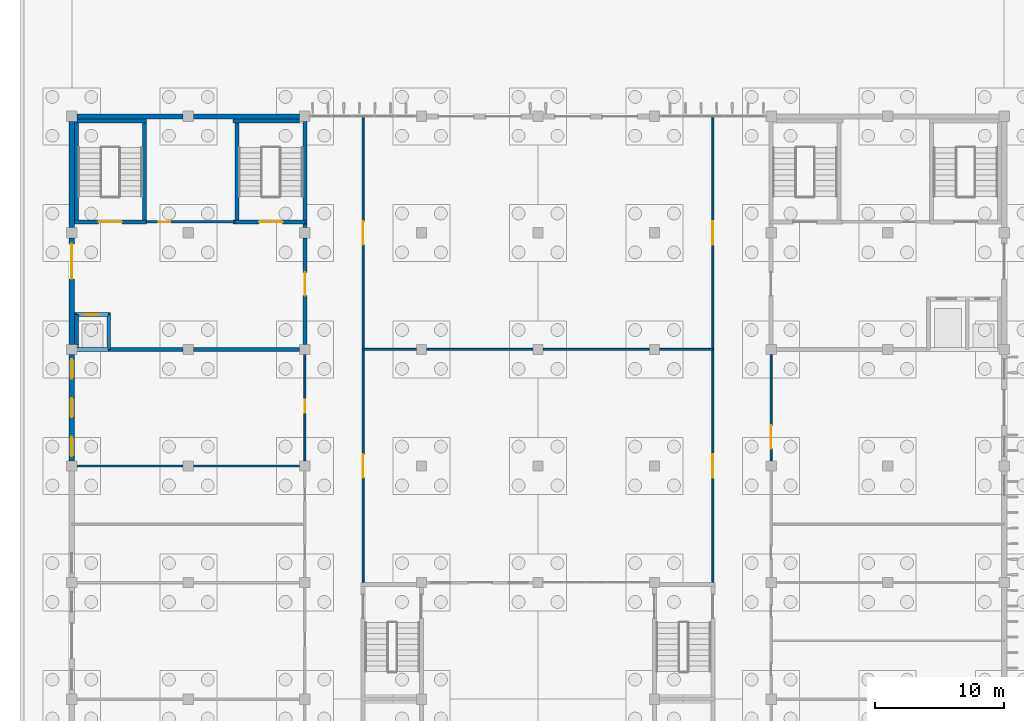
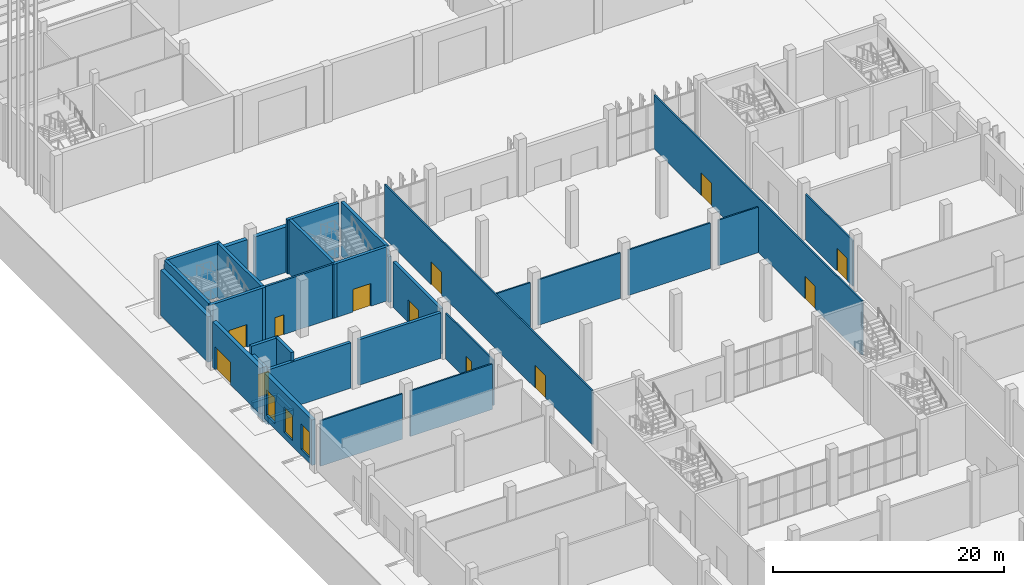
# One storey, part 82 of 198: 35 walls, 12 doors, 3 windows, 15 openings.
"""IFC4 building model written with IfcOpenShell, lengths in metres."""

from ifc_helpers import new_model, si_unit, direction, frame, frame_2d, origin, place, context, subcontext, project, spatial, rectangle, extrude, material, layer, layer_set, type_object, element, fill, save


model = new_model("IFC4")

# Units and contexts
model_context = context("Model", 3, precision=1e-05, world=origin(), true_north=direction((0.0, 1.0)))
body_context = subcontext(model_context, "Body", "Model", "MODEL_VIEW")
ifc_project = project(units=[si_unit("LENGTHUNIT", "METRE"), si_unit("AREAUNIT", "SQUARE_METRE"), si_unit("VOLUMEUNIT", "CUBIC_METRE"), si_unit("PLANEANGLEUNIT", "RADIAN"), si_unit("MASSUNIT", "GRAM", prefix="KILO")], contexts=[model_context])

# Site, building, storey
site_placement = place(None, origin())
site = spatial("IfcSite", under=ifc_project, at=site_placement, CompositionType="ELEMENT")
building_placement = place(site_placement, origin())
building = spatial("IfcBuilding", under=site, at=building_placement, Name="Opaline Strait Convention Centre", CompositionType="ELEMENT")
storey_placement = place(building_placement, origin())
storey = spatial("IfcBuildingStorey", under=building, at=storey_placement, Name="L00", CompositionType="ELEMENT", Elevation=0.0)

# Wall, opening, door
ifc_material_1 = material(Name="Gypsum board on metal studs with mineral wool")
ifc_layer_1 = layer(ifc_material_1, 0.199951171875)
ifc_layer_set_1 = layer_set([ifc_layer_1], Name="Gypsum board on metal studs with mineral wool")
wall_type_1 = type_object("IfcWallType", Name="Fire partition 200", PredefinedType="PARTITIONING", material=ifc_layer_set_1)
wall_1_placement = place(storey_placement, frame((14.75, 90.85009765625, 0.0), z_axis=(0.0, 0.0, 1.0), x_axis=(1.0, 0.0, 0.0)))
wall_1 = element("IfcWall", 1, at=wall_1_placement, inside=storey, type_object=wall_type_1, Name="NW core STORE-N wall", PredefinedType="PARTITIONING", context=body_context, shape_type="SweptSolid", body=[
    extrude(rectangle(XDim=6.85009765625, YDim=0.199951171875, at=frame_2d((3.425048828125, 0.0))), origin(), (0.0, 0.0, 1.0), 5.719970703125),
])
opening_1_placement = place(wall_1_placement, frame((0.949951171875, 0.0, 0.0)))
opening_1 = element("IfcOpeningElement", 2, at=opening_1_placement, cuts=wall_1, Name="Opening R0-014", PredefinedType="OPENING", context=body_context, shape_type="SweptSolid", body=[
    extrude(rectangle(XDim=0.89990234375, YDim=2.10009765625, at=frame_2d((0.449951171875, 1.050048828125))), frame((0.0, 0.10986328125, 0.0), z_axis=(0.0, -1.0, 0.0), x_axis=(1.0, 0.0, 0.0)), (0.0, 0.0, 1.0), 0.219970703125),
])
ifc_material_2 = material(Name="Galvanised steel door leaf", Category="steel")
door_type_1 = type_object("IfcDoorType", Name="Services store door 900x2100 FD60", OperationType="SINGLE_SWING_LEFT", PredefinedType="DOOR", material=ifc_material_2)
door_1_placement = place(opening_1_placement, frame((0.89990234375, 0.0, 0.0), z_axis=(0.0, 0.0, 1.0), x_axis=(-1.0, 0.0, 0.0)))
door_1 = element("IfcDoor", 3, at=door_1_placement, inside=storey, type_object=door_type_1, Name="Services store door NW R0-014", ObjectType="RD8", OperationType="SINGLE_SWING_LEFT", OverallHeight=2.10009765625, OverallWidth=0.89990234375, PredefinedType="DOOR", context=body_context, shape_type="SweptSolid", body=[
    extrude(rectangle(XDim=0.89990234375, YDim=2.10009765625, at=frame_2d((0.449951171875, 1.050048828125))), frame((0.0, 0.02490234375, 0.0), z_axis=(0.0, -1.0, 0.0), x_axis=(1.0, 0.0, 0.0)), (0.0, 0.0, 1.0), 0.050048828125),
])
fill(opening_1, door_1)

# Walls
ifc_layer_2 = layer(ifc_material_1, 0.14990234375)
ifc_layer_set_2 = layer_set([ifc_layer_2], Name="Gypsum board on metal studs with mineral wool")
wall_type_2 = type_object("IfcWallType", Name="Partition 150", PredefinedType="PARTITIONING", material=ifc_layer_set_2)
for number, where, z_axis, x_axis, name in (
    (4, (9.39990234375, 72.0, 0.0), (0.0, 0.0, 1.0), (1.0, 0.0, 0.0), "L00 partition"),
    (5, (18.39990234375, 72.0, 0.0), (0.0, 0.0, 1.0), (1.0, 0.0, 0.0), "L00 partition"),
):
    element("IfcWall", number, at=place(storey_placement, frame(where, z_axis=z_axis, x_axis=x_axis)), inside=storey, type_object=wall_type_2, Name=name, PredefinedType="PARTITIONING", context=body_context, shape_type="SweptSolid", body=[
        extrude(rectangle(XDim=8.2001953125, YDim=0.14990234375, at=frame_2d((4.10009765625, 0.0))), origin(), (0.0, 0.0, 1.0), 4.820068359375),
    ])
wall_2_placement = place(storey_placement, frame((31.5, 81.0, 0.0), z_axis=(0.0, 0.0, 1.0), x_axis=(1.0, 0.0, 0.0)))
element("IfcWall", 6, at=wall_2_placement, inside=storey, type_object=wall_type_2, Name="L00 partition", PredefinedType="PARTITIONING", context=body_context, shape_type="SweptSolid", body=[
    extrude(rectangle(XDim=4.10009765625, YDim=0.14990234375, at=frame_2d((2.050048828125, 0.0))), origin(), (0.0, 0.0, 1.0), 4.820068359375),
])
for number, where, z_axis, x_axis, name in (
    (7, (36.39990234375, 81.0, 0.0), (0.0, 0.0, 1.0), (1.0, 0.0, 0.0), "L00 partition"),
    (8, (45.39990234375, 81.0, 0.0), (0.0, 0.0, 1.0), (1.0, 0.0, 0.0), "L00 partition"),
):
    element("IfcWall", number, at=place(storey_placement, frame(where, z_axis=z_axis, x_axis=x_axis)), inside=storey, type_object=wall_type_2, Name=name, PredefinedType="PARTITIONING", context=body_context, shape_type="SweptSolid", body=[
        extrude(rectangle(XDim=8.2001953125, YDim=0.14990234375, at=frame_2d((4.10009765625, 0.0))), origin(), (0.0, 0.0, 1.0), 4.820068359375),
    ])
wall_3_placement = place(storey_placement, frame((54.39990234375, 81.0, 0.0), z_axis=(0.0, 0.0, 1.0), x_axis=(1.0, 0.0, 0.0)))
element("IfcWall", 9, at=wall_3_placement, inside=storey, type_object=wall_type_2, Name="L00 partition", PredefinedType="PARTITIONING", context=body_context, shape_type="SweptSolid", body=[
    extrude(rectangle(XDim=4.10009765625, YDim=0.14990234375, at=frame_2d((2.050048828125, 0.0))), origin(), (0.0, 0.0, 1.0), 4.820068359375),
])

# Wall, opening, door
wall_4_placement = place(storey_placement, frame((27.0, 72.39990234375, 0.0), z_axis=(0.0, 0.0, 1.0), x_axis=(0.0, 1.0, 0.0)))
wall_4 = element("IfcWall", 10, at=wall_4_placement, inside=storey, type_object=wall_type_2, Name="L00 partition", PredefinedType="PARTITIONING", context=body_context, shape_type="SweptSolid", body=[
    extrude(rectangle(XDim=8.2001953125, YDim=0.14990234375, at=frame_2d((4.10009765625, 0.0))), origin(), (0.0, 0.0, 1.0), 4.820068359375),
])
opening_2_placement = place(wall_4_placement, frame((3.699951171875, 0.0, 0.0)))
opening_2 = element("IfcOpeningElement", 11, at=opening_2_placement, cuts=wall_4, Name="Opening R0-047", PredefinedType="OPENING", context=body_context, shape_type="SweptSolid", body=[
    extrude(rectangle(XDim=1.0, YDim=2.39990234375, at=frame_2d((0.5, 1.199951171875))), frame((0.0, 0.0849609375, 0.0), z_axis=(0.0, -1.0, 0.0), x_axis=(1.0, 0.0, 0.0)), (0.0, 0.0, 1.0), 0.169921875),
])
ifc_material_3 = material(Name="Timber door leaf in steel frame", Category="steel")
door_type_2 = type_object("IfcDoorType", Name="Door 1000x2400 single FD30", OperationType="SINGLE_SWING_LEFT", PredefinedType="DOOR", material=ifc_material_3)
door_2_placement = place(opening_2_placement, frame((1.0, 0.0, 0.0), z_axis=(0.0, 0.0, 1.0), x_axis=(-1.0, 0.0, 0.0)))
door_2 = element("IfcDoor", 12, at=door_2_placement, inside=storey, type_object=door_type_2, Name="Catering Office door R0-047", ObjectType="RD1", OperationType="SINGLE_SWING_LEFT", OverallHeight=2.39990234375, OverallWidth=1.0, PredefinedType="DOOR", context=body_context, shape_type="SweptSolid", body=[
    extrude(rectangle(XDim=1.0, YDim=2.39990234375, at=frame_2d((0.5, 1.199951171875))), frame((0.0, 0.02490234375, 0.0), z_axis=(0.0, -1.0, 0.0), x_axis=(1.0, 0.0, 0.0)), (0.0, 0.0, 1.0), 0.050048828125),
])
fill(opening_2, door_2)

# Wall, openings, doors
wall_5_placement = place(storey_placement, frame((31.5, 63.0, 0.0), z_axis=(0.0, 0.0, 1.0), x_axis=(0.0, 1.0, 0.0)))
wall_5 = element("IfcWall", 13, at=wall_5_placement, inside=storey, type_object=wall_type_2, Name="L00 partition", PredefinedType="PARTITIONING", context=body_context, shape_type="SweptSolid", body=[
    extrude(rectangle(XDim=36.0, YDim=0.14990234375, at=frame_2d((18.0, 0.0))), origin(), (0.0, 0.0, 1.0), 5.719970703125),
])
opening_3_placement = place(wall_5_placement, frame((8.10009765625, 0.0, 0.0)))
opening_3 = element("IfcOpeningElement", 14, at=opening_3_placement, cuts=wall_5, Name="Opening R0-036", PredefinedType="OPENING", context=body_context, shape_type="SweptSolid", body=[
    extrude(rectangle(XDim=1.800048828125, YDim=2.39990234375, at=frame_2d((0.89990234375, 1.199951171875))), frame((0.0, 0.0849609375, 0.0), z_axis=(0.0, -1.0, 0.0), x_axis=(1.0, 0.0, 0.0)), (0.0, 0.0, 1.0), 0.169921875),
])
opening_4_placement = place(wall_5_placement, frame((26.10009765625, 0.0, 0.0)))
opening_4 = element("IfcOpeningElement", 15, at=opening_4_placement, cuts=wall_5, Name="Opening R0-038", PredefinedType="OPENING", context=body_context, shape_type="SweptSolid", body=[
    extrude(rectangle(XDim=1.800048828125, YDim=2.39990234375, at=frame_2d((0.89990234375, 1.199951171875))), frame((0.0, 0.0849609375, 0.0), z_axis=(0.0, -1.0, 0.0), x_axis=(1.0, 0.0, 0.0)), (0.0, 0.0, 1.0), 0.169921875),
])
ifc_material_4 = material(Name="Timber door leaves in steel frame", Category="steel")
door_type_3 = type_object("IfcDoorType", Name="Door 1800x2400 double FD30", OperationType="DOUBLE_DOOR_SINGLE_SWING", PredefinedType="DOOR", material=ifc_material_4)
door_3_placement = place(opening_3_placement, origin())
door_3 = element("IfcDoor", 16, at=door_3_placement, inside=storey, type_object=door_type_3, Name="Banquet Restaurant door R0-036", ObjectType="RD2", OperationType="DOUBLE_DOOR_SINGLE_SWING", OverallHeight=2.39990234375, OverallWidth=1.800048828125, PredefinedType="DOOR", context=body_context, shape_type="SweptSolid", body=[
    extrude(rectangle(XDim=1.800048828125, YDim=2.39990234375, at=frame_2d((0.89990234375, 1.199951171875))), frame((0.0, 0.02490234375, 0.0), z_axis=(0.0, -1.0, 0.0), x_axis=(1.0, 0.0, 0.0)), (0.0, 0.0, 1.0), 0.050048828125),
])
fill(opening_3, door_3)
door_4_placement = place(opening_4_placement, origin())
door_4 = element("IfcDoor", 17, at=door_4_placement, inside=storey, type_object=door_type_3, Name="Delegate Information Desk and Shop door R0-038", ObjectType="RD2", OperationType="DOUBLE_DOOR_SINGLE_SWING", OverallHeight=2.39990234375, OverallWidth=1.800048828125, PredefinedType="DOOR", context=body_context, shape_type="SweptSolid", body=[
    extrude(rectangle(XDim=1.800048828125, YDim=2.39990234375, at=frame_2d((0.89990234375, 1.199951171875))), frame((0.0, 0.02490234375, 0.0), z_axis=(0.0, -1.0, 0.0), x_axis=(1.0, 0.0, 0.0)), (0.0, 0.0, 1.0), 0.050048828125),
])
fill(opening_4, door_4)

wall_6_placement = place(storey_placement, frame((58.5, 63.0, 0.0), z_axis=(0.0, 0.0, 1.0), x_axis=(0.0, 1.0, 0.0)))
wall_6 = element("IfcWall", 18, at=wall_6_placement, inside=storey, type_object=wall_type_2, Name="L00 partition", PredefinedType="PARTITIONING", context=body_context, shape_type="SweptSolid", body=[
    extrude(rectangle(XDim=36.0, YDim=0.14990234375, at=frame_2d((18.0, 0.0))), origin(), (0.0, 0.0, 1.0), 5.719970703125),
])
opening_5_placement = place(wall_6_placement, frame((8.10009765625, 0.0, 0.0)))
opening_5 = element("IfcOpeningElement", 19, at=opening_5_placement, cuts=wall_6, Name="Opening R0-037", PredefinedType="OPENING", context=body_context, shape_type="SweptSolid", body=[
    extrude(rectangle(XDim=1.800048828125, YDim=2.39990234375, at=frame_2d((0.89990234375, 1.199951171875))), frame((0.0, 0.0849609375, 0.0), z_axis=(0.0, -1.0, 0.0), x_axis=(1.0, 0.0, 0.0)), (0.0, 0.0, 1.0), 0.169921875),
])
opening_6_placement = place(wall_6_placement, frame((26.10009765625, 0.0, 0.0)))
opening_6 = element("IfcOpeningElement", 20, at=opening_6_placement, cuts=wall_6, Name="Opening R0-039", PredefinedType="OPENING", context=body_context, shape_type="SweptSolid", body=[
    extrude(rectangle(XDim=1.800048828125, YDim=2.39990234375, at=frame_2d((0.89990234375, 1.199951171875))), frame((0.0, 0.0849609375, 0.0), z_axis=(0.0, -1.0, 0.0), x_axis=(1.0, 0.0, 0.0)), (0.0, 0.0, 1.0), 0.169921875),
])
door_5_placement = place(opening_5_placement, frame((1.800048828125, 0.0, 0.0), z_axis=(0.0, 0.0, 1.0), x_axis=(-1.0, 0.0, 0.0)))
door_5 = element("IfcDoor", 21, at=door_5_placement, inside=storey, type_object=door_type_3, Name="Banquet Restaurant door R0-037", ObjectType="RD2", OperationType="DOUBLE_DOOR_SINGLE_SWING", OverallHeight=2.39990234375, OverallWidth=1.800048828125, PredefinedType="DOOR", context=body_context, shape_type="SweptSolid", body=[
    extrude(rectangle(XDim=1.800048828125, YDim=2.39990234375, at=frame_2d((0.89990234375, 1.199951171875))), frame((0.0, 0.02490234375, 0.0), z_axis=(0.0, -1.0, 0.0), x_axis=(1.0, 0.0, 0.0)), (0.0, 0.0, 1.0), 0.050048828125),
])
fill(opening_5, door_5)
door_6_placement = place(opening_6_placement, frame((1.800048828125, 0.0, 0.0), z_axis=(0.0, 0.0, 1.0), x_axis=(-1.0, 0.0, 0.0)))
door_6 = element("IfcDoor", 22, at=door_6_placement, inside=storey, type_object=door_type_3, Name="Delegate Information Desk and Shop door R0-039", ObjectType="RD2", OperationType="DOUBLE_DOOR_SINGLE_SWING", OverallHeight=2.39990234375, OverallWidth=1.800048828125, PredefinedType="DOOR", context=body_context, shape_type="SweptSolid", body=[
    extrude(rectangle(XDim=1.800048828125, YDim=2.39990234375, at=frame_2d((0.89990234375, 1.199951171875))), frame((0.0, 0.02490234375, 0.0), z_axis=(0.0, -1.0, 0.0), x_axis=(1.0, 0.0, 0.0)), (0.0, 0.0, 1.0), 0.050048828125),
])
fill(opening_6, door_6)

# Wall, opening, door
wall_7_placement = place(storey_placement, frame((63.0, 72.39990234375, 0.0), z_axis=(0.0, 0.0, 1.0), x_axis=(0.0, 1.0, 0.0)))
wall_7 = element("IfcWall", 23, at=wall_7_placement, inside=storey, type_object=wall_type_2, Name="L00 partition", PredefinedType="PARTITIONING", context=body_context, shape_type="SweptSolid", body=[
    extrude(rectangle(XDim=8.2001953125, YDim=0.14990234375, at=frame_2d((4.10009765625, 0.0))), origin(), (0.0, 0.0, 1.0), 4.820068359375),
])
opening_7_placement = place(wall_7_placement, frame((0.949951171875, 0.0, 0.0)))
opening_7 = element("IfcOpeningElement", 24, at=opening_7_placement, cuts=wall_7, Name="Opening R0-052", PredefinedType="OPENING", context=body_context, shape_type="SweptSolid", body=[
    extrude(rectangle(XDim=1.800048828125, YDim=2.39990234375, at=frame_2d((0.89990234375, 1.199951171875))), frame((0.0, 0.0849609375, 0.0), z_axis=(0.0, -1.0, 0.0), x_axis=(1.0, 0.0, 0.0)), (0.0, 0.0, 1.0), 0.169921875),
])
door_7_placement = place(opening_7_placement, origin())
door_7 = element("IfcDoor", 25, at=door_7_placement, inside=storey, type_object=door_type_3, Name="Fujian Restaurant door R0-052", ObjectType="RD2", OperationType="DOUBLE_DOOR_SINGLE_SWING", OverallHeight=2.39990234375, OverallWidth=1.800048828125, PredefinedType="DOOR", context=body_context, shape_type="SweptSolid", body=[
    extrude(rectangle(XDim=1.800048828125, YDim=2.39990234375, at=frame_2d((0.89990234375, 1.199951171875))), frame((0.0, 0.02490234375, 0.0), z_axis=(0.0, -1.0, 0.0), x_axis=(1.0, 0.0, 0.0)), (0.0, 0.0, 1.0), 0.050048828125),
])
fill(opening_7, door_7)

# Wall
ifc_material_5 = material(Name="Concrete C40", Category="concrete")
ifc_layer_3 = layer(ifc_material_5, 0.300048828125)
ifc_layer_set_3 = layer_set([ifc_layer_3], Name="Concrete C40")
wall_type_3 = type_object("IfcWallType", Name="RC wall 300 C40", PredefinedType="SOLIDWALL", material=ifc_layer_set_3)
wall_8_placement = place(storey_placement, frame((9.39990234375, 98.64990234375, 0.0), z_axis=(0.0, 0.0, 1.0), x_axis=(1.0, 0.0, 0.0)))
element("IfcWall", 26, at=wall_8_placement, inside=storey, type_object=wall_type_3, Name="NW core STA-S wall", PredefinedType="SOLIDWALL", context=body_context, shape_type="SweptSolid", body=[
    extrude(rectangle(XDim=5.35009765625, YDim=0.300048828125, at=frame_2d((2.675048828125, 0.0))), origin(), (0.0, 0.0, 1.0), 5.719970703125),
])

# Wall, opening, door
wall_9_placement = place(storey_placement, frame((9.199951171875, 90.85009765625, 0.0), z_axis=(0.0, 0.0, 1.0), x_axis=(1.0, 0.0, 0.0)))
wall_9 = element("IfcWall", 27, at=wall_9_placement, inside=storey, type_object=wall_type_3, Name="NW core STA-N wall", PredefinedType="SOLIDWALL", context=body_context, shape_type="SweptSolid", body=[
    extrude(rectangle(XDim=5.550048828125, YDim=0.300048828125, at=frame_2d((2.77490234375, 0.0))), origin(), (0.0, 0.0, 1.0), 5.719970703125),
])
opening_8_placement = place(wall_9_placement, frame((1.875, 0.0, 0.0)))
opening_8 = element("IfcOpeningElement", 28, at=opening_8_placement, cuts=wall_9, Name="Opening R0-012", PredefinedType="OPENING", context=body_context, shape_type="SweptSolid", body=[
    extrude(rectangle(XDim=1.800048828125, YDim=2.39990234375, at=frame_2d((0.89990234375, 1.199951171875))), frame((0.0, 0.159912109375, 0.0), z_axis=(0.0, -1.0, 0.0), x_axis=(1.0, 0.0, 0.0)), (0.0, 0.0, 1.0), 0.320068359375),
])
door_type_4 = type_object("IfcDoorType", Name="Stair door 1800x2400 double FD60", OperationType="DOUBLE_DOOR_SINGLE_SWING", PredefinedType="DOOR", material=ifc_material_4)
door_8_placement = place(opening_8_placement, frame((1.800048828125, 0.0, 0.0), z_axis=(0.0, 0.0, 1.0), x_axis=(-1.0, 0.0, 0.0)))
door_8 = element("IfcDoor", 29, at=door_8_placement, inside=storey, type_object=door_type_4, Name="Stair door NWA R0-012", ObjectType="RD7", OperationType="DOUBLE_DOOR_SINGLE_SWING", OverallHeight=2.39990234375, OverallWidth=1.800048828125, PredefinedType="DOOR", context=body_context, shape_type="SweptSolid", body=[
    extrude(rectangle(XDim=1.800048828125, YDim=2.39990234375, at=frame_2d((0.89990234375, 1.199951171875))), frame((0.0, 0.02490234375, 0.0), z_axis=(0.0, -1.0, 0.0), x_axis=(1.0, 0.0, 0.0)), (0.0, 0.0, 1.0), 0.050048828125),
])
fill(opening_8, door_8)

# Walls
wall_10_placement = place(storey_placement, frame((9.35009765625, 98.60009765625, 0.0), z_axis=(0.0, 0.0, 1.0), x_axis=(0.0, -1.0, 0.0)))
element("IfcWall", 30, at=wall_10_placement, inside=storey, type_object=wall_type_3, Name="NW core STA-W wall", PredefinedType="SOLIDWALL", context=body_context, shape_type="SweptSolid", body=[
    extrude(rectangle(XDim=7.900146484375, YDim=0.300048828125, at=frame_2d((3.9501953125, 0.0))), origin(), (0.0, 0.0, 1.0), 5.719970703125),
])
wall_11_placement = place(storey_placement, frame((14.60009765625, 98.800048828125, 0.0), z_axis=(0.0, 0.0, 1.0), x_axis=(0.0, -1.0, 0.0)))
element("IfcWall", 31, at=wall_11_placement, inside=storey, type_object=wall_type_3, Name="NW core STA-E wall", PredefinedType="SOLIDWALL", context=body_context, shape_type="SweptSolid", body=[
    extrude(rectangle(XDim=8.10009765625, YDim=0.300048828125, at=frame_2d((4.050048828125, 0.0))), origin(), (0.0, 0.0, 1.0), 5.719970703125),
])
wall_12_placement = place(storey_placement, frame((21.449951171875, 98.64990234375, 0.0), z_axis=(0.0, 0.0, 1.0), x_axis=(1.0, 0.0, 0.0)))
element("IfcWall", 32, at=wall_12_placement, inside=storey, type_object=wall_type_3, Name="NW core STB-S wall", PredefinedType="SOLIDWALL", context=body_context, shape_type="SweptSolid", body=[
    extrude(rectangle(XDim=5.150146484375, YDim=0.300048828125, at=frame_2d((2.5751953125, 0.0))), origin(), (0.0, 0.0, 1.0), 5.719970703125),
])

# Wall, opening, door
wall_13_placement = place(storey_placement, frame((21.449951171875, 90.85009765625, 0.0), z_axis=(0.0, 0.0, 1.0), x_axis=(1.0, 0.0, 0.0)))
wall_13 = element("IfcWall", 33, at=wall_13_placement, inside=storey, type_object=wall_type_3, Name="NW core STB-N wall", PredefinedType="SOLIDWALL", context=body_context, shape_type="SweptSolid", body=[
    extrude(rectangle(XDim=5.550048828125, YDim=0.300048828125, at=frame_2d((2.77490234375, 0.0))), origin(), (0.0, 0.0, 1.0), 5.719970703125),
])
opening_9_placement = place(wall_13_placement, frame((2.02490234375, 0.0, 0.0)))
opening_9 = element("IfcOpeningElement", 34, at=opening_9_placement, cuts=wall_13, Name="Opening R0-013", PredefinedType="OPENING", context=body_context, shape_type="SweptSolid", body=[
    extrude(rectangle(XDim=1.800048828125, YDim=2.39990234375, at=frame_2d((0.89990234375, 1.199951171875))), frame((0.0, 0.159912109375, 0.0), z_axis=(0.0, -1.0, 0.0), x_axis=(1.0, 0.0, 0.0)), (0.0, 0.0, 1.0), 0.320068359375),
])
door_9_placement = place(opening_9_placement, frame((1.800048828125, 0.0, 0.0), z_axis=(0.0, 0.0, 1.0), x_axis=(-1.0, 0.0, 0.0)))
door_9 = element("IfcDoor", 35, at=door_9_placement, inside=storey, type_object=door_type_4, Name="Stair door NWB R0-013", ObjectType="RD7", OperationType="DOUBLE_DOOR_SINGLE_SWING", OverallHeight=2.39990234375, OverallWidth=1.800048828125, PredefinedType="DOOR", context=body_context, shape_type="SweptSolid", body=[
    extrude(rectangle(XDim=1.800048828125, YDim=2.39990234375, at=frame_2d((0.89990234375, 1.199951171875))), frame((0.0, 0.02490234375, 0.0), z_axis=(0.0, -1.0, 0.0), x_axis=(1.0, 0.0, 0.0)), (0.0, 0.0, 1.0), 0.050048828125),
])
fill(opening_9, door_9)

# Walls
wall_14_placement = place(storey_placement, frame((21.75, 98.800048828125, 0.0), z_axis=(0.0, 0.0, 1.0), x_axis=(0.0, -1.0, 0.0)))
element("IfcWall", 36, at=wall_14_placement, inside=storey, type_object=wall_type_3, Name="NW core STB-W wall", PredefinedType="SOLIDWALL", context=body_context, shape_type="SweptSolid", body=[
    extrude(rectangle(XDim=8.10009765625, YDim=0.300048828125, at=frame_2d((4.050048828125, 0.0))), origin(), (0.0, 0.0, 1.0), 5.719970703125),
])
wall_15_placement = place(storey_placement, frame((27.0, 98.60009765625, 0.0), z_axis=(0.0, 0.0, 1.0), x_axis=(0.0, -1.0, 0.0)))
element("IfcWall", 37, at=wall_15_placement, inside=storey, type_object=wall_type_3, Name="NW core STB-E wall", PredefinedType="SOLIDWALL", context=body_context, shape_type="SweptSolid", body=[
    extrude(rectangle(XDim=7.900146484375, YDim=0.300048828125, at=frame_2d((3.9501953125, 0.0))), origin(), (0.0, 0.0, 1.0), 5.719970703125),
])
for number, where, z_axis, x_axis, name in (
    (38, (9.39990234375, 81.0, 0.0), (0.0, 0.0, 1.0), (1.0, 0.0, 0.0), "NW core BND-N wall"),
    (39, (18.39990234375, 81.0, 0.0), (0.0, 0.0, 1.0), (1.0, 0.0, 0.0), "NW core BND-N wall"),
):
    element("IfcWall", number, at=place(storey_placement, frame(where, z_axis=z_axis, x_axis=x_axis)), inside=storey, type_object=wall_type_3, Name=name, PredefinedType="SOLIDWALL", context=body_context, shape_type="SweptSolid", body=[
        extrude(rectangle(XDim=8.2001953125, YDim=0.300048828125, at=frame_2d((4.10009765625, 0.0))), origin(), (0.0, 0.0, 1.0), 4.820068359375),
    ])

# Wall, opening, door
wall_16_placement = place(storey_placement, frame((27.0, 89.60009765625, 0.0), z_axis=(0.0, 0.0, 1.0), x_axis=(0.0, -1.0, 0.0)))
wall_16 = element("IfcWall", 40, at=wall_16_placement, inside=storey, type_object=wall_type_3, Name="NW core BND-E wall", PredefinedType="SOLIDWALL", context=body_context, shape_type="SweptSolid", body=[
    extrude(rectangle(XDim=8.2001953125, YDim=0.300048828125, at=frame_2d((4.10009765625, 0.0))), origin(), (0.0, 0.0, 1.0), 4.820068359375),
])
opening_10_placement = place(wall_16_placement, frame((2.64990234375, 0.0, 0.0)))
opening_10 = element("IfcOpeningElement", 41, at=opening_10_placement, cuts=wall_16, Name="Opening R0-015", PredefinedType="OPENING", context=body_context, shape_type="SweptSolid", body=[
    extrude(rectangle(XDim=1.800048828125, YDim=2.39990234375, at=frame_2d((0.89990234375, 1.199951171875))), frame((0.0, 0.159912109375, 0.0), z_axis=(0.0, -1.0, 0.0), x_axis=(1.0, 0.0, 0.0)), (0.0, 0.0, 1.0), 0.320068359375),
])
door_type_5 = type_object("IfcDoorType", Name="Door 1800x2400 double FD60", OperationType="DOUBLE_DOOR_SINGLE_SWING", PredefinedType="DOOR", material=ifc_material_4)
door_10_placement = place(opening_10_placement, origin())
door_10 = element("IfcDoor", 42, at=door_10_placement, inside=storey, type_object=door_type_5, Name="Core lobby door NW R0-015", ObjectType="RD9", OperationType="DOUBLE_DOOR_SINGLE_SWING", OverallHeight=2.39990234375, OverallWidth=1.800048828125, PredefinedType="DOOR", context=body_context, shape_type="SweptSolid", body=[
    extrude(rectangle(XDim=1.800048828125, YDim=2.39990234375, at=frame_2d((0.89990234375, 1.199951171875))), frame((0.0, 0.02490234375, 0.0), z_axis=(0.0, -1.0, 0.0), x_axis=(1.0, 0.0, 0.0)), (0.0, 0.0, 1.0), 0.050048828125),
])
fill(opening_10, door_10)

# Wall
wall_17_placement = place(storey_placement, frame((27.0, 90.699951171875, 0.0), z_axis=(0.0, 0.0, 1.0), x_axis=(0.0, -1.0, 0.0)))
element("IfcWall", 43, at=wall_17_placement, inside=storey, type_object=wall_type_3, Name="NW core BND-E wall", PredefinedType="SOLIDWALL", context=body_context, shape_type="SweptSolid", body=[
    extrude(rectangle(XDim=0.300048828125, YDim=0.300048828125, at=frame_2d((0.14990234375, 0.0))), origin(), (0.0, 0.0, 1.0), 4.820068359375),
])

# Wall, opening, door
wall_18_placement = place(storey_placement, frame((9.199951171875, 83.699951171875, 0.0), z_axis=(0.0, 0.0, 1.0), x_axis=(1.0, 0.0, 0.0)))
wall_18 = element("IfcWall", 44, at=wall_18_placement, inside=storey, type_object=wall_type_3, Name="NW core LIFT-S wall", PredefinedType="SOLIDWALL", context=body_context, shape_type="SweptSolid", body=[
    extrude(rectangle(XDim=2.800048828125, YDim=0.300048828125, at=frame_2d((1.39990234375, 0.0))), origin(), (0.0, 0.0, 1.0), 5.719970703125),
])
opening_11_placement = place(wall_18_placement, frame((0.75, 0.0, 0.0)))
opening_11 = element("IfcOpeningElement", 45, at=opening_11_placement, cuts=wall_18, Name="Opening R0-016", PredefinedType="OPENING", context=body_context, shape_type="SweptSolid", body=[
    extrude(rectangle(XDim=1.10009765625, YDim=2.39990234375, at=frame_2d((0.550048828125, 1.199951171875))), frame((0.0, 0.159912109375, 0.0), z_axis=(0.0, -1.0, 0.0), x_axis=(1.0, 0.0, 0.0)), (0.0, 0.0, 1.0), 0.320068359375),
])
ifc_material_6 = material(Name="Stainless steel 304 door leaves", Category="steel")
door_type_6 = type_object("IfcDoorType", Name="Lift landing door 1100x2400 sliding FD60", OperationType="SLIDING_TO_LEFT", PredefinedType="DOOR", material=ifc_material_6)
door_11_placement = place(opening_11_placement, origin())
door_11 = element("IfcDoor", 46, at=door_11_placement, inside=storey, type_object=door_type_6, Name="Lift landing door NWP R0-016", ObjectType="LD1", OperationType="SLIDING_TO_LEFT", OverallHeight=2.39990234375, OverallWidth=1.10009765625, PredefinedType="DOOR", context=body_context, shape_type="SweptSolid", body=[
    extrude(rectangle(XDim=1.10009765625, YDim=2.39990234375, at=frame_2d((0.550048828125, 1.199951171875))), frame((0.0, 0.02490234375, 0.0), z_axis=(0.0, -1.0, 0.0), x_axis=(1.0, 0.0, 0.0)), (0.0, 0.0, 1.0), 0.050048828125),
])
fill(opening_11, door_11)

# Walls
wall_19_placement = place(storey_placement, frame((11.85009765625, 83.699951171875, 0.0), z_axis=(0.0, 0.0, 1.0), x_axis=(0.0, -1.0, 0.0)))
element("IfcWall", 47, at=wall_19_placement, inside=storey, type_object=wall_type_3, Name="NW core LIFT-M wall", PredefinedType="SOLIDWALL", context=body_context, shape_type="SweptSolid", body=[
    extrude(rectangle(XDim=2.699951171875, YDim=0.300048828125, at=frame_2d((1.35009765625, 0.0))), origin(), (0.0, 0.0, 1.0), 5.719970703125),
])
wall_20_placement = place(storey_placement, frame((9.35009765625, 83.699951171875, 0.0), z_axis=(0.0, 0.0, 1.0), x_axis=(0.0, -1.0, 0.0)))
element("IfcWall", 48, at=wall_20_placement, inside=storey, type_object=wall_type_3, Name="NW core LIFT-W wall", PredefinedType="SOLIDWALL", context=body_context, shape_type="SweptSolid", body=[
    extrude(rectangle(XDim=2.300048828125, YDim=0.300048828125, at=frame_2d((1.14990234375, 0.0))), origin(), (0.0, 0.0, 1.0), 4.820068359375),
])
for number, where, z_axis, x_axis, name in (
    (49, (9.35009765625, 81.0, -1.0), (0.0, 0.0, 1.0), (1.0, 0.0, 0.0), "Lift pit wall NW"),
    (50, (9.35009765625, 83.699951171875, -1.0), (0.0, 0.0, 1.0), (1.0, 0.0, 0.0), "Lift pit wall NW"),
):
    element("IfcWall", number, at=place(storey_placement, frame(where, z_axis=z_axis, x_axis=x_axis)), inside=storey, type_object=wall_type_3, Name=name, PredefinedType="SOLIDWALL", context=body_context, shape_type="SweptSolid", body=[
        extrude(rectangle(XDim=2.5, YDim=0.300048828125, at=frame_2d((1.25, 0.0))), origin(), (0.0, 0.0, 1.0), 0.699951171875),
    ])
for number, where, z_axis, x_axis, name in (
    (51, (9.35009765625, 81.0, -1.0), (0.0, 0.0, 1.0), (0.0, 1.0, 0.0), "Lift pit wall NW"),
    (52, (11.85009765625, 81.0, -1.0), (0.0, 0.0, 1.0), (0.0, 1.0, 0.0), "Lift pit wall NW"),
):
    element("IfcWall", number, at=place(storey_placement, frame(where, z_axis=z_axis, x_axis=x_axis)), inside=storey, type_object=wall_type_3, Name=name, PredefinedType="SOLIDWALL", context=body_context, shape_type="SweptSolid", body=[
        extrude(rectangle(XDim=2.699951171875, YDim=0.300048828125, at=frame_2d((1.35009765625, 0.0))), origin(), (0.0, 0.0, 1.0), 0.699951171875),
    ])
ifc_layer_4 = layer(ifc_material_5, 0.320068359375)
ifc_material_7 = material(Name="Mineral wool insulation")
ifc_layer_5 = layer(ifc_material_7, 0.050048828125)
ifc_material_8 = material(Name="Gypsum board lining")
ifc_layer_6 = layer(ifc_material_8, 0.030029296875)
ifc_layer_set_4 = layer_set([ifc_layer_4, ifc_layer_5, ifc_layer_6], Name="Concrete C40, Mineral wool insulation, Gypsum board lining")
wall_type_4 = type_object("IfcWallType", Name="RC wall 400 C40", PredefinedType="SOLIDWALL", material=ifc_layer_set_4)
for number, where, z_axis, x_axis, name in (
    (53, (9.39990234375, 99.0, 0.0), (0.0, 0.0, 1.0), (1.0, 0.0, 0.0), "L00 N external wall 1"),
    (54, (18.39990234375, 99.0, 0.0), (0.0, 0.0, 1.0), (1.0, 0.0, 0.0), "L00 N external wall 2"),
):
    element("IfcWall", number, at=place(storey_placement, frame(where, z_axis=z_axis, x_axis=x_axis)), inside=storey, type_object=wall_type_4, Name=name, PredefinedType="SOLIDWALL", context=body_context, shape_type="SweptSolid", body=[
        extrude(rectangle(XDim=8.2001953125, YDim=0.39990234375, at=frame_2d((4.10009765625, 0.0))), origin(), (0.0, 0.0, 1.0), 4.820068359375),
    ])

# Wall, openings, windows
wall_21_placement = place(storey_placement, frame((9.0, 72.39990234375, 0.0), z_axis=(0.0, 0.0, 1.0), x_axis=(0.0, 1.0, 0.0)))
wall_21 = element("IfcWall", 55, at=wall_21_placement, inside=storey, type_object=wall_type_4, Name="L00 W external wall 8", PredefinedType="SOLIDWALL", context=body_context, shape_type="SweptSolid", body=[
    extrude(rectangle(XDim=8.2001953125, YDim=0.39990234375, at=frame_2d((4.10009765625, 0.0))), origin(), (0.0, 0.0, 1.0), 4.820068359375),
])
opening_12_placement = place(wall_21_placement, frame((0.35009765625, 0.0, 0.60009765625)))
opening_12 = element("IfcOpeningElement", 56, at=opening_12_placement, cuts=wall_21, Name="Opening RWN3", PredefinedType="OPENING", context=body_context, shape_type="SweptSolid", body=[
    extrude(rectangle(XDim=1.5, YDim=2.699951171875, at=frame_2d((0.75, 1.35009765625))), frame((0.0, 0.2099609375, 0.0), z_axis=(0.0, -1.0, 0.0), x_axis=(1.0, 0.0, 0.0)), (0.0, 0.0, 1.0), 0.419921875),
])
opening_13_placement = place(wall_21_placement, frame((3.35009765625, 0.0, 0.60009765625)))
opening_13 = element("IfcOpeningElement", 57, at=opening_13_placement, cuts=wall_21, Name="Opening RWN3", PredefinedType="OPENING", context=body_context, shape_type="SweptSolid", body=[
    extrude(rectangle(XDim=1.5, YDim=2.699951171875, at=frame_2d((0.75, 1.35009765625))), frame((0.0, 0.2099609375, 0.0), z_axis=(0.0, -1.0, 0.0), x_axis=(1.0, 0.0, 0.0)), (0.0, 0.0, 1.0), 0.419921875),
])
opening_14_placement = place(wall_21_placement, frame((6.35009765625, 0.0, 0.60009765625)))
opening_14 = element("IfcOpeningElement", 58, at=opening_14_placement, cuts=wall_21, Name="Opening RWN3", PredefinedType="OPENING", context=body_context, shape_type="SweptSolid", body=[
    extrude(rectangle(XDim=1.5, YDim=2.699951171875, at=frame_2d((0.75, 1.35009765625))), frame((0.0, 0.2099609375, 0.0), z_axis=(0.0, -1.0, 0.0), x_axis=(1.0, 0.0, 0.0)), (0.0, 0.0, 1.0), 0.419921875),
])
ifc_material_9 = material(Name="Aluminium framed double glazing", Category="aluminium")
window_type = type_object("IfcWindowType", Name="Window 1500x2700 sill 600", PartitioningType="SINGLE_PANEL", PredefinedType="WINDOW", material=ifc_material_9)
window_1_placement = place(opening_12_placement, origin())
window_1 = element("IfcWindow", 59, at=window_1_placement, inside=storey, type_object=window_type, Name="Window L00-W8-W1", OverallHeight=2.699951171875, OverallWidth=1.5, PartitioningType="SINGLE_PANEL", PredefinedType="WINDOW", context=body_context, shape_type="SweptSolid", body=[
    extrude(rectangle(XDim=1.5, YDim=2.699951171875, at=frame_2d((0.75, 1.35009765625))), frame((0.0, 0.030029296875, 0.0), z_axis=(0.0, -1.0, 0.0), x_axis=(1.0, 0.0, 0.0)), (0.0, 0.0, 1.0), 0.06005859375),
])
fill(opening_12, window_1)
window_2_placement = place(opening_13_placement, origin())
window_2 = element("IfcWindow", 60, at=window_2_placement, inside=storey, type_object=window_type, Name="Window L00-W8-W2", OverallHeight=2.699951171875, OverallWidth=1.5, PartitioningType="SINGLE_PANEL", PredefinedType="WINDOW", context=body_context, shape_type="SweptSolid", body=[
    extrude(rectangle(XDim=1.5, YDim=2.699951171875, at=frame_2d((0.75, 1.35009765625))), frame((0.0, 0.030029296875, 0.0), z_axis=(0.0, -1.0, 0.0), x_axis=(1.0, 0.0, 0.0)), (0.0, 0.0, 1.0), 0.06005859375),
])
fill(opening_13, window_2)
window_3_placement = place(opening_14_placement, origin())
window_3 = element("IfcWindow", 61, at=window_3_placement, inside=storey, type_object=window_type, Name="Window L00-W8-W3", OverallHeight=2.699951171875, OverallWidth=1.5, PartitioningType="SINGLE_PANEL", PredefinedType="WINDOW", context=body_context, shape_type="SweptSolid", body=[
    extrude(rectangle(XDim=1.5, YDim=2.699951171875, at=frame_2d((0.75, 1.35009765625))), frame((0.0, 0.030029296875, 0.0), z_axis=(0.0, -1.0, 0.0), x_axis=(1.0, 0.0, 0.0)), (0.0, 0.0, 1.0), 0.06005859375),
])
fill(opening_14, window_3)

# Wall, opening, door
wall_22_placement = place(storey_placement, frame((9.0, 81.39990234375, 0.0), z_axis=(0.0, 0.0, 1.0), x_axis=(0.0, 1.0, 0.0)))
wall_22 = element("IfcWall", 62, at=wall_22_placement, inside=storey, type_object=wall_type_4, Name="L00 W external wall 9", PredefinedType="SOLIDWALL", context=body_context, shape_type="SweptSolid", body=[
    extrude(rectangle(XDim=8.2001953125, YDim=0.39990234375, at=frame_2d((4.10009765625, 0.0))), origin(), (0.0, 0.0, 1.0), 4.820068359375),
])
opening_15_placement = place(wall_22_placement, frame((5.050048828125, 0.0, 0.0)))
opening_15 = element("IfcOpeningElement", 63, at=opening_15_placement, cuts=wall_22, Name="Opening R0-064", PredefinedType="OPENING", context=body_context, shape_type="SweptSolid", body=[
    extrude(rectangle(XDim=2.699951171875, YDim=2.39990234375, at=frame_2d((1.35009765625, 1.199951171875))), frame((0.0, 0.2099609375, 0.0), z_axis=(0.0, -1.0, 0.0), x_axis=(1.0, 0.0, 0.0)), (0.0, 0.0, 1.0), 0.419921875),
])
door_type_7 = type_object("IfcDoorType", Name="Exit door 2700x2400 glazed pair", OperationType="DOUBLE_DOOR_SINGLE_SWING", PredefinedType="DOOR", material=ifc_material_9)
door_12_placement = place(opening_15_placement, frame((2.699951171875, 0.0, 0.0), z_axis=(0.0, 0.0, 1.0), x_axis=(-1.0, 0.0, 0.0)))
door_12 = element("IfcDoor", 64, at=door_12_placement, inside=storey, type_object=door_type_7, Name="Core exit door NW R0-064", ObjectType="RD10", OperationType="DOUBLE_DOOR_SINGLE_SWING", OverallHeight=2.39990234375, OverallWidth=2.699951171875, PredefinedType="DOOR", context=body_context, shape_type="SweptSolid", body=[
    extrude(rectangle(XDim=2.699951171875, YDim=2.39990234375, at=frame_2d((1.35009765625, 1.199951171875))), frame((0.0, 0.02490234375, 0.0), z_axis=(0.0, -1.0, 0.0), x_axis=(1.0, 0.0, 0.0)), (0.0, 0.0, 1.0), 0.050048828125),
])
fill(opening_15, door_12)

# Wall
wall_23_placement = place(storey_placement, frame((9.0, 90.39990234375, 0.0), z_axis=(0.0, 0.0, 1.0), x_axis=(0.0, 1.0, 0.0)))
element("IfcWall", 65, at=wall_23_placement, inside=storey, type_object=wall_type_4, Name="L00 W external wall 10", PredefinedType="SOLIDWALL", context=body_context, shape_type="SweptSolid", body=[
    extrude(rectangle(XDim=8.2001953125, YDim=0.39990234375, at=frame_2d((4.10009765625, 0.0))), origin(), (0.0, 0.0, 1.0), 4.820068359375),
])

save(model, "model.ifc")
